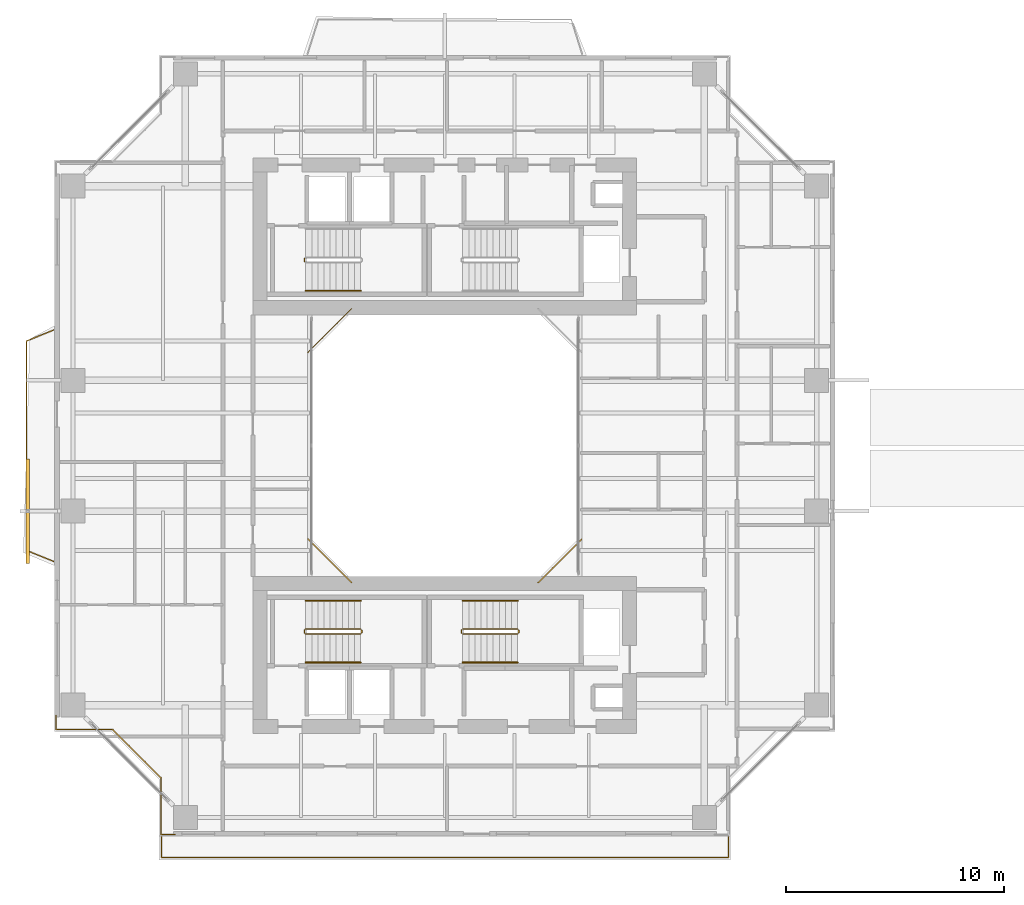
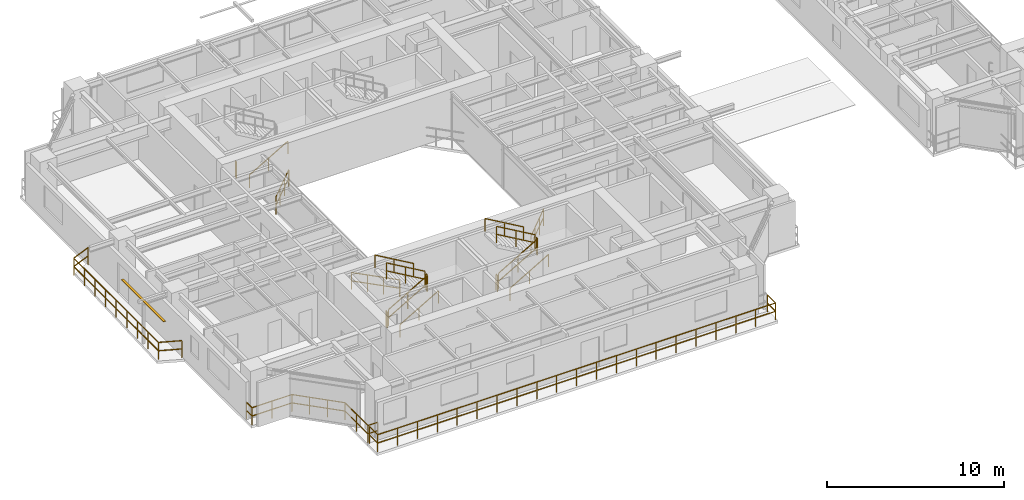
# One storey, part 20 of 23: 20 railings, 1 shading device.
"""IFC4 building model written with IfcOpenShell, lengths in metres."""

from ifc_helpers import new_model, si_unit, direction, frame, origin, origin_2d, place, context, subcontext, project, spatial, rectangle, extrude, source, transform, mapped, material, material_profile, profile_set, type_object, element, save


model = new_model("IFC4")

# Units and contexts
model_context = context("Model", 3, precision=1e-05, world=origin(), true_north=direction((0.0, 1.0)))
body_context = subcontext(model_context, "Body", "Model", "MODEL_VIEW")
ifc_project = project(units=[si_unit("LENGTHUNIT", "METRE"), si_unit("AREAUNIT", "SQUARE_METRE"), si_unit("VOLUMEUNIT", "CUBIC_METRE"), si_unit("PLANEANGLEUNIT", "RADIAN"), si_unit("MASSUNIT", "GRAM", prefix="KILO"), si_unit("THERMODYNAMICTEMPERATUREUNIT", "KELVIN"), si_unit("POWERUNIT", "WATT")], contexts=[model_context])

# Site, building, storey
site_placement = place(None, origin())
site = spatial("IfcSite", under=ifc_project, at=site_placement, CompositionType="ELEMENT")
building_placement = place(site_placement, origin())
building = spatial("IfcBuilding", under=site, at=building_placement, Name="Qiaomeng Ring Towers", CompositionType="ELEMENT")
storey_placement = place(building_placement, frame((0.0, 0.0, 97.0)))
storey = spatial("IfcBuildingStorey", under=building, at=storey_placement, Name="L27", CompositionType="ELEMENT", Elevation=97.0)

# Railings
ifc_material_1 = material(Name="Low-E pale-green laminated safety glass", Category="glass")
railing_type_1 = type_object("IfcRailingType", Name="ARC-RL-BAL1", PredefinedType="BALUSTRADE", material=ifc_material_1)
railing_1_placement = place(storey_placement, frame((23.280029296875, 16.719970703125, 0.0)))
element("IfcRailing", 1, at=railing_1_placement, inside=storey, type_object=railing_type_1, Name="L27 Balustrade ARC-BAL-WELL1-L27-1", PredefinedType="BALUSTRADE", context=body_context, shape_type="SweptSolid", body=[
    extrude(rectangle(XDim=0.048095703125, YDim=0.048095703125, at=origin_2d()), frame((0.0, 0.0, 1.17578125), z_axis=(0.707106781187, 0.707106781187, 0.0), x_axis=(-0.707106781187, 0.707106781187, 0.0)), (0.0, 0.0, 1.0), 2.828369140625),
    extrude(rectangle(XDim=0.048095703125, YDim=0.048095703125, at=origin_2d()), frame((0.0, 0.0, 0.60009765625), z_axis=(0.707106781187, 0.707106781187, 0.0), x_axis=(-0.707106781187, 0.707106781187, 0.0)), (0.0, 0.0, 1.0), 2.828369140625),
    extrude(rectangle(XDim=0.0419921875, YDim=0.0419921875, at=origin_2d()), origin(), (0.0, 0.0, 1.0), 1.15185546875),
    extrude(rectangle(XDim=0.0419921875, YDim=0.0419921875, at=origin_2d()), frame((0.666748046875, 0.666748046875, 0.0)), (0.0, 0.0, 1.0), 1.15185546875),
    extrude(rectangle(XDim=0.0419921875, YDim=0.0419921875, at=origin_2d()), frame((1.333251953125, 1.333251953125, 0.0)), (0.0, 0.0, 1.0), 1.15185546875),
    extrude(rectangle(XDim=0.0419921875, YDim=0.0419921875, at=origin_2d()), frame((2.0, 2.0, 0.0)), (0.0, 0.0, 1.0), 1.15185546875),
])
railing_2_placement = place(storey_placement, frame((14.719970703125, 29.280029296875, 0.0)))
element("IfcRailing", 2, at=railing_2_placement, inside=storey, type_object=railing_type_1, Name="L27 Balustrade ARC-BAL-WELL1-L27-3", PredefinedType="BALUSTRADE", context=body_context, shape_type="SweptSolid", body=[
    extrude(rectangle(XDim=0.048095703125, YDim=0.048095703125, at=origin_2d()), frame((0.0, 0.0, 1.17578125), z_axis=(-0.707106781187, -0.707106781187, 0.0), x_axis=(0.707106781187, -0.707106781187, 0.0)), (0.0, 0.0, 1.0), 2.828369140625),
    extrude(rectangle(XDim=0.048095703125, YDim=0.048095703125, at=origin_2d()), frame((0.0, 0.0, 0.60009765625), z_axis=(-0.707106781187, -0.707106781187, 0.0), x_axis=(0.707106781187, -0.707106781187, 0.0)), (0.0, 0.0, 1.0), 2.828369140625),
    extrude(rectangle(XDim=0.0419921875, YDim=0.0419921875, at=origin_2d()), origin(), (0.0, 0.0, 1.0), 1.15185546875),
    extrude(rectangle(XDim=0.0419921875, YDim=0.0419921875, at=origin_2d()), frame((-0.666748046875, -0.666748046875, 0.0)), (0.0, 0.0, 1.0), 1.15185546875),
    extrude(rectangle(XDim=0.0419921875, YDim=0.0419921875, at=origin_2d()), frame((-1.333251953125, -1.333251953125, 0.0)), (0.0, 0.0, 1.0), 1.15185546875),
    extrude(rectangle(XDim=0.0419921875, YDim=0.0419921875, at=origin_2d()), frame((-2.0, -2.0, 0.0)), (0.0, 0.0, 1.0), 1.15185546875),
])
railing_3_placement = place(storey_placement, frame((12.719970703125, 18.719970703125, 0.0)))
element("IfcRailing", 3, at=railing_3_placement, inside=storey, type_object=railing_type_1, Name="L27 Balustrade ARC-BAL-WELL1-L27-4", PredefinedType="BALUSTRADE", context=body_context, shape_type="SweptSolid", body=[
    extrude(rectangle(XDim=0.048095703125, YDim=0.048095703125, at=origin_2d()), frame((0.0, 0.0, 1.17578125), z_axis=(0.707106781187, -0.707106781187, 0.0), x_axis=(0.707106781187, 0.707106781187, 0.0)), (0.0, 0.0, 1.0), 2.828369140625),
    extrude(rectangle(XDim=0.048095703125, YDim=0.048095703125, at=origin_2d()), frame((0.0, 0.0, 0.60009765625), z_axis=(0.707106781187, -0.707106781187, 0.0), x_axis=(0.707106781187, 0.707106781187, 0.0)), (0.0, 0.0, 1.0), 2.828369140625),
    extrude(rectangle(XDim=0.0419921875, YDim=0.0419921875, at=origin_2d()), origin(), (0.0, 0.0, 1.0), 1.15185546875),
    extrude(rectangle(XDim=0.0419921875, YDim=0.0419921875, at=origin_2d()), frame((0.666748046875, -0.666748046875, 0.0)), (0.0, 0.0, 1.0), 1.15185546875),
    extrude(rectangle(XDim=0.0419921875, YDim=0.0419921875, at=origin_2d()), frame((1.333251953125, -1.333251953125, 0.0)), (0.0, 0.0, 1.0), 1.15185546875),
    extrude(rectangle(XDim=0.0419921875, YDim=0.0419921875, at=origin_2d()), frame((2.0, -2.0, 0.0)), (0.0, 0.0, 1.0), 1.15185546875),
])
railing_4_placement = place(storey_placement, frame((1.179931640625, 10.6298828125, 0.0)))
element("IfcRailing", 4, at=railing_4_placement, inside=storey, type_object=railing_type_1, Name="L27 Balustrade ARC-BAL-NOTCH1-L27-SW", PredefinedType="BALUSTRADE", context=body_context, shape_type="SweptSolid", body=[
    extrude(rectangle(XDim=0.048095703125, YDim=0.048095703125, at=origin_2d()), frame((0.0, 0.0, 1.17578125), z_axis=(0.0, -1.0, 0.0), x_axis=(1.0, 0.0, 0.0)), (0.0, 0.0, 1.0), 0.64990234375),
    extrude(rectangle(XDim=0.048095703125, YDim=0.048095703125, at=origin_2d()), frame((0.0, 0.0, 0.60009765625), z_axis=(0.0, -1.0, 0.0), x_axis=(1.0, 0.0, 0.0)), (0.0, 0.0, 1.0), 0.64990234375),
    extrude(rectangle(XDim=0.048095703125, YDim=0.048095703125, at=origin_2d()), frame((0.0, -0.64990234375, 1.17578125), z_axis=(1.0, 0.0, 0.0), x_axis=(0.0, 1.0, 0.0)), (0.0, 0.0, 1.0), 2.60009765625),
    extrude(rectangle(XDim=0.048095703125, YDim=0.048095703125, at=origin_2d()), frame((0.0, -0.64990234375, 0.60009765625), z_axis=(1.0, 0.0, 0.0), x_axis=(0.0, 1.0, 0.0)), (0.0, 0.0, 1.0), 2.60009765625),
    extrude(rectangle(XDim=0.048095703125, YDim=0.048095703125, at=origin_2d()), frame((2.60009765625, -0.64990234375, 1.17578125), z_axis=(0.707106781187, -0.707106781187, 0.0), x_axis=(0.707106781187, 0.707106781187, 0.0)), (0.0, 0.0, 1.0), 3.111083984375),
    extrude(rectangle(XDim=0.048095703125, YDim=0.048095703125, at=origin_2d()), frame((2.60009765625, -0.64990234375, 0.60009765625), z_axis=(0.707106781187, -0.707106781187, 0.0), x_axis=(0.707106781187, 0.707106781187, 0.0)), (0.0, 0.0, 1.0), 3.111083984375),
    extrude(rectangle(XDim=0.048095703125, YDim=0.048095703125, at=origin_2d()), frame((4.800048828125, -2.849853515625, 1.17578125), z_axis=(0.0, -1.0, 0.0), x_axis=(1.0, 0.0, 0.0)), (0.0, 0.0, 1.0), 2.60009765625),
    extrude(rectangle(XDim=0.048095703125, YDim=0.048095703125, at=origin_2d()), frame((4.800048828125, -2.849853515625, 0.60009765625), z_axis=(0.0, -1.0, 0.0), x_axis=(1.0, 0.0, 0.0)), (0.0, 0.0, 1.0), 2.60009765625),
    extrude(rectangle(XDim=0.048095703125, YDim=0.048095703125, at=origin_2d()), frame((4.800048828125, -5.449951171875, 1.17578125), z_axis=(1.0, 0.0, 0.0), x_axis=(0.0, 1.0, 0.0)), (0.0, 0.0, 1.0), 0.64990234375),
    extrude(rectangle(XDim=0.048095703125, YDim=0.048095703125, at=origin_2d()), frame((4.800048828125, -5.449951171875, 0.60009765625), z_axis=(1.0, 0.0, 0.0), x_axis=(0.0, 1.0, 0.0)), (0.0, 0.0, 1.0), 0.64990234375),
    extrude(rectangle(XDim=0.0419921875, YDim=0.0419921875, at=origin_2d()), origin(), (0.0, 0.0, 1.0), 1.15185546875),
    extrude(rectangle(XDim=0.0419921875, YDim=0.0419921875, at=origin_2d()), frame((0.0, -0.64990234375, 0.0)), (0.0, 0.0, 1.0), 1.15185546875),
    extrude(rectangle(XDim=0.0419921875, YDim=0.0419921875, at=origin_2d()), frame((1.300048828125, -0.64990234375, 0.0)), (0.0, 0.0, 1.0), 1.15185546875),
    extrude(rectangle(XDim=0.0419921875, YDim=0.0419921875, at=origin_2d()), frame((2.60009765625, -0.64990234375, 0.0)), (0.0, 0.0, 1.0), 1.15185546875),
    extrude(rectangle(XDim=0.0419921875, YDim=0.0419921875, at=origin_2d()), frame((3.33349609375, -1.38330078125, 0.0)), (0.0, 0.0, 1.0), 1.15185546875),
    extrude(rectangle(XDim=0.0419921875, YDim=0.0419921875, at=origin_2d()), frame((4.066650390625, -2.116455078125, 0.0)), (0.0, 0.0, 1.0), 1.15185546875),
    extrude(rectangle(XDim=0.0419921875, YDim=0.0419921875, at=origin_2d()), frame((4.800048828125, -2.849853515625, 0.0)), (0.0, 0.0, 1.0), 1.15185546875),
    extrude(rectangle(XDim=0.0419921875, YDim=0.0419921875, at=origin_2d()), frame((4.800048828125, -4.14990234375, 0.0)), (0.0, 0.0, 1.0), 1.15185546875),
    extrude(rectangle(XDim=0.0419921875, YDim=0.0419921875, at=origin_2d()), frame((4.800048828125, -5.449951171875, 0.0)), (0.0, 0.0, 1.0), 1.15185546875),
    extrude(rectangle(XDim=0.0419921875, YDim=0.0419921875, at=origin_2d()), frame((5.449951171875, -5.449951171875, 0.0)), (0.0, 0.0, 1.0), 1.15185546875),
])
railing_5_placement = place(storey_placement, frame((6.0, 5.050048828125, 0.0)))
element("IfcRailing", 5, at=railing_5_placement, inside=storey, type_object=railing_type_1, Name="L27 Balustrade ARC-BAL-L27-SETBACK", PredefinedType="BALUSTRADE", context=body_context, shape_type="SweptSolid", body=[
    extrude(rectangle(XDim=0.048095703125, YDim=0.048095703125, at=origin_2d()), frame((0.0, 0.0, 1.17578125), z_axis=(0.0, -1.0, 0.0), x_axis=(1.0, 0.0, 0.0)), (0.0, 0.0, 1.0), 0.929931640625),
    extrude(rectangle(XDim=0.048095703125, YDim=0.048095703125, at=origin_2d()), frame((0.0, 0.0, 0.60009765625), z_axis=(0.0, -1.0, 0.0), x_axis=(1.0, 0.0, 0.0)), (0.0, 0.0, 1.0), 0.929931640625),
    extrude(rectangle(XDim=0.048095703125, YDim=0.048095703125, at=origin_2d()), frame((0.0, -0.929931640625, 1.17578125), z_axis=(1.0, 0.0, 0.0), x_axis=(0.0, 1.0, 0.0)), (0.0, 0.0, 1.0), 26.0),
    extrude(rectangle(XDim=0.048095703125, YDim=0.048095703125, at=origin_2d()), frame((0.0, -0.929931640625, 0.60009765625), z_axis=(1.0, 0.0, 0.0), x_axis=(0.0, 1.0, 0.0)), (0.0, 0.0, 1.0), 26.0),
    extrude(rectangle(XDim=0.048095703125, YDim=0.048095703125, at=origin_2d()), frame((26.0, -0.929931640625, 1.17578125), z_axis=(0.0, 1.0, 0.0), x_axis=(-1.0, 0.0, 0.0)), (0.0, 0.0, 1.0), 0.929931640625),
    extrude(rectangle(XDim=0.048095703125, YDim=0.048095703125, at=origin_2d()), frame((26.0, -0.929931640625, 0.60009765625), z_axis=(0.0, 1.0, 0.0), x_axis=(-1.0, 0.0, 0.0)), (0.0, 0.0, 1.0), 0.929931640625),
    extrude(rectangle(XDim=0.0419921875, YDim=0.0419921875, at=origin_2d()), origin(), (0.0, 0.0, 1.0), 1.15185546875),
    extrude(rectangle(XDim=0.0419921875, YDim=0.0419921875, at=origin_2d()), frame((0.0, -0.929931640625, 0.0)), (0.0, 0.0, 1.0), 1.15185546875),
    extrude(rectangle(XDim=0.0419921875, YDim=0.0419921875, at=origin_2d()), frame((1.300048828125, -0.929931640625, 0.0)), (0.0, 0.0, 1.0), 1.15185546875),
    extrude(rectangle(XDim=0.0419921875, YDim=0.0419921875, at=origin_2d()), frame((2.60009765625, -0.929931640625, 0.0)), (0.0, 0.0, 1.0), 1.15185546875),
    extrude(rectangle(XDim=0.0419921875, YDim=0.0419921875, at=origin_2d()), frame((3.89990234375, -0.929931640625, 0.0)), (0.0, 0.0, 1.0), 1.15185546875),
    extrude(rectangle(XDim=0.0419921875, YDim=0.0419921875, at=origin_2d()), frame((5.199951171875, -0.929931640625, 0.0)), (0.0, 0.0, 1.0), 1.15185546875),
    extrude(rectangle(XDim=0.0419921875, YDim=0.0419921875, at=origin_2d()), frame((6.5, -0.929931640625, 0.0)), (0.0, 0.0, 1.0), 1.15185546875),
    extrude(rectangle(XDim=0.0419921875, YDim=0.0419921875, at=origin_2d()), frame((7.800048828125, -0.929931640625, 0.0)), (0.0, 0.0, 1.0), 1.15185546875),
    extrude(rectangle(XDim=0.0419921875, YDim=0.0419921875, at=origin_2d()), frame((9.10009765625, -0.929931640625, 0.0)), (0.0, 0.0, 1.0), 1.15185546875),
    extrude(rectangle(XDim=0.0419921875, YDim=0.0419921875, at=origin_2d()), frame((10.39990234375, -0.929931640625, 0.0)), (0.0, 0.0, 1.0), 1.15185546875),
    extrude(rectangle(XDim=0.0419921875, YDim=0.0419921875, at=origin_2d()), frame((11.699951171875, -0.929931640625, 0.0)), (0.0, 0.0, 1.0), 1.15185546875),
    extrude(rectangle(XDim=0.0419921875, YDim=0.0419921875, at=origin_2d()), frame((13.0, -0.929931640625, 0.0)), (0.0, 0.0, 1.0), 1.15185546875),
    extrude(rectangle(XDim=0.0419921875, YDim=0.0419921875, at=origin_2d()), frame((14.300048828125, -0.929931640625, 0.0)), (0.0, 0.0, 1.0), 1.15185546875),
    extrude(rectangle(XDim=0.0419921875, YDim=0.0419921875, at=origin_2d()), frame((15.60009765625, -0.929931640625, 0.0)), (0.0, 0.0, 1.0), 1.15185546875),
    extrude(rectangle(XDim=0.0419921875, YDim=0.0419921875, at=origin_2d()), frame((16.89990234375, -0.929931640625, 0.0)), (0.0, 0.0, 1.0), 1.15185546875),
    extrude(rectangle(XDim=0.0419921875, YDim=0.0419921875, at=origin_2d()), frame((18.199951171875, -0.929931640625, 0.0)), (0.0, 0.0, 1.0), 1.15185546875),
    extrude(rectangle(XDim=0.0419921875, YDim=0.0419921875, at=origin_2d()), frame((19.5, -0.929931640625, 0.0)), (0.0, 0.0, 1.0), 1.15185546875),
    extrude(rectangle(XDim=0.0419921875, YDim=0.0419921875, at=origin_2d()), frame((20.800048828125, -0.929931640625, 0.0)), (0.0, 0.0, 1.0), 1.15185546875),
    extrude(rectangle(XDim=0.0419921875, YDim=0.0419921875, at=origin_2d()), frame((22.10009765625, -0.929931640625, 0.0)), (0.0, 0.0, 1.0), 1.15185546875),
    extrude(rectangle(XDim=0.0419921875, YDim=0.0419921875, at=origin_2d()), frame((23.39990234375, -0.929931640625, 0.0)), (0.0, 0.0, 1.0), 1.15185546875),
    extrude(rectangle(XDim=0.0419921875, YDim=0.0419921875, at=origin_2d()), frame((24.699951171875, -0.929931640625, 0.0)), (0.0, 0.0, 1.0), 1.15185546875),
    extrude(rectangle(XDim=0.0419921875, YDim=0.0419921875, at=origin_2d()), frame((26.0, -0.929931640625, 0.0)), (0.0, 0.0, 1.0), 1.15185546875),
    extrude(rectangle(XDim=0.0419921875, YDim=0.0419921875, at=origin_2d()), frame((26.0, 0.0, 0.0)), (0.0, 0.0, 1.0), 1.15185546875),
])
railing_6_placement = place(storey_placement, frame((1.050048828125, 17.699951171875, 0.0)))
element("IfcRailing", 6, at=railing_6_placement, inside=storey, type_object=railing_type_1, Name="L27 Balustrade ARC-BAL-L27-T1-W", PredefinedType="BALUSTRADE", context=body_context, shape_type="SweptSolid", body=[
    extrude(rectangle(XDim=0.048095703125, YDim=0.048095703125, at=origin_2d()), frame((0.0, 0.0, 1.17578125), z_axis=(-0.926382398109, 0.376584190418, 0.0), x_axis=(-0.376584190418, -0.926382398109, 0.0)), (0.0, 0.0, 1.0), 1.32763671875),
    extrude(rectangle(XDim=0.048095703125, YDim=0.048095703125, at=origin_2d()), frame((0.0, 0.0, 0.60009765625), z_axis=(-0.926382398109, 0.376584190418, 0.0), x_axis=(-0.376584190418, -0.926382398109, 0.0)), (0.0, 0.0, 1.0), 1.32763671875),
    extrude(rectangle(XDim=0.048095703125, YDim=0.048095703125, at=origin_2d()), frame((-1.22998046875, 0.5, 1.17578125), z_axis=(0.0, 1.0, 0.0), x_axis=(-1.0, 0.0, 0.0)), (0.0, 0.0, 1.0), 9.60009765625),
    extrude(rectangle(XDim=0.048095703125, YDim=0.048095703125, at=origin_2d()), frame((-1.22998046875, 0.5, 0.60009765625), z_axis=(0.0, 1.0, 0.0), x_axis=(-1.0, 0.0, 0.0)), (0.0, 0.0, 1.0), 9.60009765625),
    extrude(rectangle(XDim=0.048095703125, YDim=0.048095703125, at=origin_2d()), frame((-1.22998046875, 10.10009765625, 1.17578125), z_axis=(0.926382398109, 0.376584190418, 0.0), x_axis=(-0.376584190418, 0.926382398109, 0.0)), (0.0, 0.0, 1.0), 1.32763671875),
    extrude(rectangle(XDim=0.048095703125, YDim=0.048095703125, at=origin_2d()), frame((-1.22998046875, 10.10009765625, 0.60009765625), z_axis=(0.926382398109, 0.376584190418, 0.0), x_axis=(-0.376584190418, 0.926382398109, 0.0)), (0.0, 0.0, 1.0), 1.32763671875),
    extrude(rectangle(XDim=0.0419921875, YDim=0.0419921875, at=origin_2d()), origin(), (0.0, 0.0, 1.0), 1.15185546875),
    extrude(rectangle(XDim=0.0419921875, YDim=0.0419921875, at=origin_2d()), frame((-1.22998046875, 0.5, 0.0)), (0.0, 0.0, 1.0), 1.15185546875),
    extrude(rectangle(XDim=0.0419921875, YDim=0.0419921875, at=origin_2d()), frame((-1.22998046875, 1.699951171875, 0.0)), (0.0, 0.0, 1.0), 1.15185546875),
    extrude(rectangle(XDim=0.0419921875, YDim=0.0419921875, at=origin_2d()), frame((-1.22998046875, 2.89990234375, 0.0)), (0.0, 0.0, 1.0), 1.15185546875),
    extrude(rectangle(XDim=0.0419921875, YDim=0.0419921875, at=origin_2d()), frame((-1.22998046875, 4.10009765625, 0.0)), (0.0, 0.0, 1.0), 1.15185546875),
    extrude(rectangle(XDim=0.0419921875, YDim=0.0419921875, at=origin_2d()), frame((-1.22998046875, 5.300048828125, 0.0)), (0.0, 0.0, 1.0), 1.15185546875),
    extrude(rectangle(XDim=0.0419921875, YDim=0.0419921875, at=origin_2d()), frame((-1.22998046875, 6.5, 0.0)), (0.0, 0.0, 1.0), 1.15185546875),
    extrude(rectangle(XDim=0.0419921875, YDim=0.0419921875, at=origin_2d()), frame((-1.22998046875, 7.7001953125, 0.0)), (0.0, 0.0, 1.0), 1.15185546875),
    extrude(rectangle(XDim=0.0419921875, YDim=0.0419921875, at=origin_2d()), frame((-1.22998046875, 8.900146484375, 0.0)), (0.0, 0.0, 1.0), 1.15185546875),
    extrude(rectangle(XDim=0.0419921875, YDim=0.0419921875, at=origin_2d()), frame((-1.22998046875, 10.10009765625, 0.0)), (0.0, 0.0, 1.0), 1.15185546875),
    extrude(rectangle(XDim=0.0419921875, YDim=0.0419921875, at=origin_2d()), frame((0.0, 10.60009765625, 0.0)), (0.0, 0.0, 1.0), 1.15185546875),
])
ifc_material_2 = material(Name="Galvanised steel", Category="steel")
railing_type_2 = type_object("IfcRailingType", Name="ARC-RL-GUARD", PredefinedType="GUARDRAIL", material=ifc_material_2)
railing_7_placement = place(storey_placement, frame((12.570068359375, 31.449951171875, 0.0)))
element("IfcRailing", 7, at=railing_7_placement, inside=storey, type_object=railing_type_2, Name="L27 ST1 stair guard 4", PredefinedType="GUARDRAIL", context=body_context, shape_type="SweptSolid", body=[
    extrude(rectangle(XDim=0.048095703125, YDim=0.048095703125, at=origin_2d()), frame((0.0, 0.0, 1.1259765625), z_axis=(0.0, 1.0, 0.0), x_axis=(-1.0, 0.0, 0.0)), (0.0, 0.0, 1.0), 0.14013671875),
    extrude(rectangle(XDim=0.048095703125, YDim=0.048095703125, at=origin_2d()), frame((0.0, 0.0, 0.574951171875), z_axis=(0.0, 1.0, 0.0), x_axis=(-1.0, 0.0, 0.0)), (0.0, 0.0, 1.0), 0.14013671875),
    extrude(rectangle(XDim=0.0419921875, YDim=0.0419921875, at=origin_2d()), origin(), (0.0, 0.0, 1.0), 1.101806640625),
    extrude(rectangle(XDim=0.0419921875, YDim=0.0419921875, at=origin_2d()), frame((0.0, 0.14013671875, 0.0)), (0.0, 0.0, 1.0), 1.101806640625),
])
railing_8_placement = place(storey_placement, frame((12.6201171875, 14.360107421875, 0.16259765625)))
element("IfcRailing", 8, at=railing_8_placement, inside=storey, type_object=railing_type_2, Name="L27 ST3 stair guard 1", PredefinedType="GUARDRAIL", context=body_context, shape_type="SweptSolid", body=[
    extrude(rectangle(XDim=0.048095703125, YDim=0.048095703125, at=origin_2d()), frame((0.0, 0.0, 1.1259765625), z_axis=(0.864892226395, 0.0, 0.501957604506), x_axis=(0.0, 1.0, 0.0)), (0.0, 0.0, 1.0), 2.913330078125),
    extrude(rectangle(XDim=0.048095703125, YDim=0.048095703125, at=origin_2d()), frame((0.0, 0.0, 0.574951171875), z_axis=(0.864892226395, 0.0, 0.501957604506), x_axis=(0.0, 1.0, 0.0)), (0.0, 0.0, 1.0), 2.913330078125),
    extrude(rectangle(XDim=0.0419921875, YDim=0.0419921875, at=origin_2d()), origin(), (0.0, 0.0, 1.0), 1.101806640625),
    extrude(rectangle(XDim=0.0419921875, YDim=0.0419921875, at=origin_2d()), frame((1.259765625, 0.0, 0.731201171875)), (0.0, 0.0, 1.0), 1.101806640625),
    extrude(rectangle(XDim=0.0419921875, YDim=0.0419921875, at=origin_2d()), frame((2.519775390625, 0.0, 1.46240234375)), (0.0, 0.0, 1.0), 1.101806640625),
])
railing_9_placement = place(storey_placement, frame((15.18994140625, 14.409912109375, 1.625)))
element("IfcRailing", 9, at=railing_9_placement, inside=storey, type_object=railing_type_2, Name="L27 ST3 stair guard 2", PredefinedType="GUARDRAIL", context=body_context, shape_type="SweptSolid", body=[
    extrude(rectangle(XDim=0.048095703125, YDim=0.048095703125, at=origin_2d()), frame((0.0, 0.0, 1.1259765625), z_axis=(0.0, 1.0, 0.0), x_axis=(-1.0, 0.0, 0.0)), (0.0, 0.0, 1.0), 0.14013671875),
    extrude(rectangle(XDim=0.048095703125, YDim=0.048095703125, at=origin_2d()), frame((0.0, 0.0, 0.574951171875), z_axis=(0.0, 1.0, 0.0), x_axis=(-1.0, 0.0, 0.0)), (0.0, 0.0, 1.0), 0.14013671875),
    extrude(rectangle(XDim=0.0419921875, YDim=0.0419921875, at=origin_2d()), origin(), (0.0, 0.0, 1.0), 1.101806640625),
    extrude(rectangle(XDim=0.0419921875, YDim=0.0419921875, at=origin_2d()), frame((0.0, 0.14013671875, 0.0)), (0.0, 0.0, 1.0), 1.101806640625),
])
railing_10_placement = place(storey_placement, frame((15.139892578125, 14.60009765625, 1.78759765625)))
element("IfcRailing", 10, at=railing_10_placement, inside=storey, type_object=railing_type_2, Name="L27 ST3 stair guard 3", PredefinedType="GUARDRAIL", context=body_context, shape_type="SweptSolid", body=[
    extrude(rectangle(XDim=0.048095703125, YDim=0.048095703125, at=origin_2d()), frame((0.0, 0.0, 1.1259765625), z_axis=(-0.864892226395, 0.0, 0.501957604506), x_axis=(0.0, -1.0, 0.0)), (0.0, 0.0, 1.0), 2.913330078125),
    extrude(rectangle(XDim=0.048095703125, YDim=0.048095703125, at=origin_2d()), frame((0.0, 0.0, 0.574951171875), z_axis=(-0.864892226395, 0.0, 0.501957604506), x_axis=(0.0, -1.0, 0.0)), (0.0, 0.0, 1.0), 2.913330078125),
    extrude(rectangle(XDim=0.0419921875, YDim=0.0419921875, at=origin_2d()), origin(), (0.0, 0.0, 1.0), 1.101806640625),
    extrude(rectangle(XDim=0.0419921875, YDim=0.0419921875, at=origin_2d()), frame((-1.259765625, 0.0, 0.731201171875)), (0.0, 0.0, 1.0), 1.101806640625),
    extrude(rectangle(XDim=0.0419921875, YDim=0.0419921875, at=origin_2d()), frame((-2.519775390625, 0.0, 1.46240234375)), (0.0, 0.0, 1.0), 1.101806640625),
])
railing_11_placement = place(storey_placement, frame((12.570068359375, 14.409912109375, 0.0)))
element("IfcRailing", 11, at=railing_11_placement, inside=storey, type_object=railing_type_2, Name="L27 ST3 stair guard 4", PredefinedType="GUARDRAIL", context=body_context, shape_type="SweptSolid", body=[
    extrude(rectangle(XDim=0.048095703125, YDim=0.048095703125, at=origin_2d()), frame((0.0, 0.0, 1.1259765625), z_axis=(0.0, 1.0, 0.0), x_axis=(-1.0, 0.0, 0.0)), (0.0, 0.0, 1.0), 0.14013671875),
    extrude(rectangle(XDim=0.048095703125, YDim=0.048095703125, at=origin_2d()), frame((0.0, 0.0, 0.574951171875), z_axis=(0.0, 1.0, 0.0), x_axis=(-1.0, 0.0, 0.0)), (0.0, 0.0, 1.0), 0.14013671875),
    extrude(rectangle(XDim=0.0419921875, YDim=0.0419921875, at=origin_2d()), origin(), (0.0, 0.0, 1.0), 1.101806640625),
    extrude(rectangle(XDim=0.0419921875, YDim=0.0419921875, at=origin_2d()), frame((0.0, 0.14013671875, 0.0)), (0.0, 0.0, 1.0), 1.101806640625),
])
railing_12_placement = place(storey_placement, frame((19.820068359375, 14.360107421875, 0.16259765625)))
element("IfcRailing", 12, at=railing_12_placement, inside=storey, type_object=railing_type_2, Name="L27 ST4 stair guard 1", PredefinedType="GUARDRAIL", context=body_context, shape_type="SweptSolid", body=[
    extrude(rectangle(XDim=0.048095703125, YDim=0.048095703125, at=origin_2d()), frame((0.0, 0.0, 1.1259765625), z_axis=(0.864913338283, 0.0, 0.50192122615), x_axis=(0.0, 1.0, 0.0)), (0.0, 0.0, 1.0), 2.91357421875),
    extrude(rectangle(XDim=0.048095703125, YDim=0.048095703125, at=origin_2d()), frame((0.0, 0.0, 0.574951171875), z_axis=(0.864913338283, 0.0, 0.50192122615), x_axis=(0.0, 1.0, 0.0)), (0.0, 0.0, 1.0), 2.91357421875),
    extrude(rectangle(XDim=0.0419921875, YDim=0.0419921875, at=origin_2d()), origin(), (0.0, 0.0, 1.0), 1.101806640625),
    extrude(rectangle(XDim=0.0419921875, YDim=0.0419921875, at=origin_2d()), frame((1.260009765625, 0.0, 0.731201171875)), (0.0, 0.0, 1.0), 1.101806640625),
    extrude(rectangle(XDim=0.0419921875, YDim=0.0419921875, at=origin_2d()), frame((2.52001953125, 0.0, 1.46240234375)), (0.0, 0.0, 1.0), 1.101806640625),
])
railing_13_placement = place(storey_placement, frame((22.389892578125, 14.409912109375, 1.625)))
element("IfcRailing", 13, at=railing_13_placement, inside=storey, type_object=railing_type_2, Name="L27 ST4 stair guard 2", PredefinedType="GUARDRAIL", context=body_context, shape_type="SweptSolid", body=[
    extrude(rectangle(XDim=0.048095703125, YDim=0.048095703125, at=origin_2d()), frame((0.0, 0.0, 1.1259765625), z_axis=(0.0, 1.0, 0.0), x_axis=(-1.0, 0.0, 0.0)), (0.0, 0.0, 1.0), 0.14013671875),
    extrude(rectangle(XDim=0.048095703125, YDim=0.048095703125, at=origin_2d()), frame((0.0, 0.0, 0.574951171875), z_axis=(0.0, 1.0, 0.0), x_axis=(-1.0, 0.0, 0.0)), (0.0, 0.0, 1.0), 0.14013671875),
    extrude(rectangle(XDim=0.0419921875, YDim=0.0419921875, at=origin_2d()), origin(), (0.0, 0.0, 1.0), 1.101806640625),
    extrude(rectangle(XDim=0.0419921875, YDim=0.0419921875, at=origin_2d()), frame((0.0, 0.14013671875, 0.0)), (0.0, 0.0, 1.0), 1.101806640625),
])
railing_14_placement = place(storey_placement, frame((22.340087890625, 14.60009765625, 1.78759765625)))
element("IfcRailing", 14, at=railing_14_placement, inside=storey, type_object=railing_type_2, Name="L27 ST4 stair guard 3", PredefinedType="GUARDRAIL", context=body_context, shape_type="SweptSolid", body=[
    extrude(rectangle(XDim=0.048095703125, YDim=0.048095703125, at=origin_2d()), frame((0.0, 0.0, 1.1259765625), z_axis=(-0.864913338283, 0.0, 0.50192122615), x_axis=(0.0, -1.0, 0.0)), (0.0, 0.0, 1.0), 2.91357421875),
    extrude(rectangle(XDim=0.048095703125, YDim=0.048095703125, at=origin_2d()), frame((0.0, 0.0, 0.574951171875), z_axis=(-0.864913338283, 0.0, 0.50192122615), x_axis=(0.0, -1.0, 0.0)), (0.0, 0.0, 1.0), 2.91357421875),
    extrude(rectangle(XDim=0.0419921875, YDim=0.0419921875, at=origin_2d()), origin(), (0.0, 0.0, 1.0), 1.101806640625),
    extrude(rectangle(XDim=0.0419921875, YDim=0.0419921875, at=origin_2d()), frame((-1.260009765625, 0.0, 0.731201171875)), (0.0, 0.0, 1.0), 1.101806640625),
    extrude(rectangle(XDim=0.0419921875, YDim=0.0419921875, at=origin_2d()), frame((-2.52001953125, 0.0, 1.46240234375)), (0.0, 0.0, 1.0), 1.101806640625),
])
railing_15_placement = place(storey_placement, frame((19.77001953125, 14.409912109375, 0.0)))
element("IfcRailing", 15, at=railing_15_placement, inside=storey, type_object=railing_type_2, Name="L27 ST4 stair guard 4", PredefinedType="GUARDRAIL", context=body_context, shape_type="SweptSolid", body=[
    extrude(rectangle(XDim=0.048095703125, YDim=0.048095703125, at=origin_2d()), frame((0.0, 0.0, 1.1259765625), z_axis=(0.0, 1.0, 0.0), x_axis=(-1.0, 0.0, 0.0)), (0.0, 0.0, 1.0), 0.14013671875),
    extrude(rectangle(XDim=0.048095703125, YDim=0.048095703125, at=origin_2d()), frame((0.0, 0.0, 0.574951171875), z_axis=(0.0, 1.0, 0.0), x_axis=(-1.0, 0.0, 0.0)), (0.0, 0.0, 1.0), 0.14013671875),
    extrude(rectangle(XDim=0.0419921875, YDim=0.0419921875, at=origin_2d()), origin(), (0.0, 0.0, 1.0), 1.101806640625),
    extrude(rectangle(XDim=0.0419921875, YDim=0.0419921875, at=origin_2d()), frame((0.0, 0.14013671875, 0.0)), (0.0, 0.0, 1.0), 1.101806640625),
])
ifc_material_3 = material(Name="Stainless steel 316", Category="steel")
railing_type_3 = type_object("IfcRailingType", Name="ARC-RL-HAND", PredefinedType="HANDRAIL", material=ifc_material_3)
for number, where, name in (
    (16, (12.6201171875, 30.10009765625, 0.16259765625), "L27 ST1 stair handrail 1"),
    (17, (12.6201171875, 13.06005859375, 0.16259765625), "L27 ST3 stair handrail 1"),
):
    element("IfcRailing", number, at=place(storey_placement, frame(where)), inside=storey, type_object=railing_type_3, Name=name, PredefinedType="HANDRAIL", context=body_context, shape_type="SweptSolid", body=[
        extrude(rectangle(XDim=0.048095703125, YDim=0.048095703125, at=origin_2d()), frame((0.0, 0.0, 0.8759765625), z_axis=(0.864892226395, 0.0, 0.501957604506), x_axis=(0.0, 1.0, 0.0)), (0.0, 0.0, 1.0), 2.913330078125),
        extrude(rectangle(XDim=0.0419921875, YDim=0.0419921875, at=origin_2d()), origin(), (0.0, 0.0, 1.0), 0.851806640625),
        extrude(rectangle(XDim=0.0419921875, YDim=0.0419921875, at=origin_2d()), frame((1.259765625, 0.0, 0.731201171875)), (0.0, 0.0, 1.0), 0.851806640625),
        extrude(rectangle(XDim=0.0419921875, YDim=0.0419921875, at=origin_2d()), frame((2.519775390625, 0.0, 1.46240234375)), (0.0, 0.0, 1.0), 0.851806640625),
    ])
railing_16_placement = place(storey_placement, frame((15.139892578125, 15.89990234375, 1.78759765625)))
element("IfcRailing", 18, at=railing_16_placement, inside=storey, type_object=railing_type_3, Name="L27 ST3 stair handrail 2", PredefinedType="HANDRAIL", context=body_context, shape_type="SweptSolid", body=[
    extrude(rectangle(XDim=0.048095703125, YDim=0.048095703125, at=origin_2d()), frame((0.0, 0.0, 0.8759765625), z_axis=(-0.864892226395, 0.0, 0.501957604506), x_axis=(0.0, -1.0, 0.0)), (0.0, 0.0, 1.0), 2.913330078125),
    extrude(rectangle(XDim=0.0419921875, YDim=0.0419921875, at=origin_2d()), origin(), (0.0, 0.0, 1.0), 0.851806640625),
    extrude(rectangle(XDim=0.0419921875, YDim=0.0419921875, at=origin_2d()), frame((-1.259765625, 0.0, 0.731201171875)), (0.0, 0.0, 1.0), 0.851806640625),
    extrude(rectangle(XDim=0.0419921875, YDim=0.0419921875, at=origin_2d()), frame((-2.519775390625, 0.0, 1.46240234375)), (0.0, 0.0, 1.0), 0.851806640625),
])
railing_17_placement = place(storey_placement, frame((19.820068359375, 13.06005859375, 0.16259765625)))
element("IfcRailing", 19, at=railing_17_placement, inside=storey, type_object=railing_type_3, Name="L27 ST4 stair handrail 1", PredefinedType="HANDRAIL", context=body_context, shape_type="SweptSolid", body=[
    extrude(rectangle(XDim=0.048095703125, YDim=0.048095703125, at=origin_2d()), frame((0.0, 0.0, 0.8759765625), z_axis=(0.864913338283, 0.0, 0.50192122615), x_axis=(0.0, 1.0, 0.0)), (0.0, 0.0, 1.0), 2.91357421875),
    extrude(rectangle(XDim=0.0419921875, YDim=0.0419921875, at=origin_2d()), origin(), (0.0, 0.0, 1.0), 0.851806640625),
    extrude(rectangle(XDim=0.0419921875, YDim=0.0419921875, at=origin_2d()), frame((1.260009765625, 0.0, 0.731201171875)), (0.0, 0.0, 1.0), 0.851806640625),
    extrude(rectangle(XDim=0.0419921875, YDim=0.0419921875, at=origin_2d()), frame((2.52001953125, 0.0, 1.46240234375)), (0.0, 0.0, 1.0), 0.851806640625),
])
railing_18_placement = place(storey_placement, frame((22.340087890625, 15.89990234375, 1.78759765625)))
element("IfcRailing", 20, at=railing_18_placement, inside=storey, type_object=railing_type_3, Name="L27 ST4 stair handrail 2", PredefinedType="HANDRAIL", context=body_context, shape_type="SweptSolid", body=[
    extrude(rectangle(XDim=0.048095703125, YDim=0.048095703125, at=origin_2d()), frame((0.0, 0.0, 0.8759765625), z_axis=(-0.864913338283, 0.0, 0.50192122615), x_axis=(0.0, -1.0, 0.0)), (0.0, 0.0, 1.0), 2.91357421875),
    extrude(rectangle(XDim=0.0419921875, YDim=0.0419921875, at=origin_2d()), origin(), (0.0, 0.0, 1.0), 0.851806640625),
    extrude(rectangle(XDim=0.0419921875, YDim=0.0419921875, at=origin_2d()), frame((-1.260009765625, 0.0, 0.731201171875)), (0.0, 0.0, 1.0), 0.851806640625),
    extrude(rectangle(XDim=0.0419921875, YDim=0.0419921875, at=origin_2d()), frame((-2.52001953125, 0.0, 1.46240234375)), (0.0, 0.0, 1.0), 0.851806640625),
])

# Shading device
ifc_material_4 = material(Name="Fluorocarbon dark-grey aluminium", Category="aluminium")
ifc_material_profile = material_profile(ifc_material_4, rectangle(XDim=0.14990234375, YDim=0.034912109375, at=origin_2d()), Name="LV BLADE 150x35")
ifc_profile_set = profile_set([ifc_material_profile], Name="Fluorocarbon dark-grey aluminium")
shading_device_type = type_object("IfcShadingDeviceType", Name="ARC-SHD-SUN", PredefinedType="AWNING", material=ifc_profile_set)
shared_shape = source(origin(), body_context, "Body", "SweptSolid", [
    extrude(rectangle(XDim=0.14990234375, YDim=0.034912109375, at=origin_2d()), origin(), (0.0, 0.0, 1.0), 4.7998046875),
])
shading_device_placement = place(storey_placement, frame((-0.1298828125, 17.60009765625, 2.969970703125), z_axis=(0.0, 1.0, 0.0), x_axis=(-1.0, 0.0, 0.0)))
element("IfcShadingDevice", 21, at=shading_device_placement, inside=storey, type_object=shading_device_type, Name="L27 Ventilated Outer-Skin Sunshade W", PredefinedType="AWNING", context=body_context, shape_type="MappedRepresentation", body=[
    mapped(shared_shape, transform((0.0, 0.0, 0.0), x_axis=(1.0, 0.0, 0.0), y_axis=(0.0, 1.0, 0.0), z_axis=(0.0, 0.0, 1.0), scale=1.0)),
])

save(model, "model.ifc")
